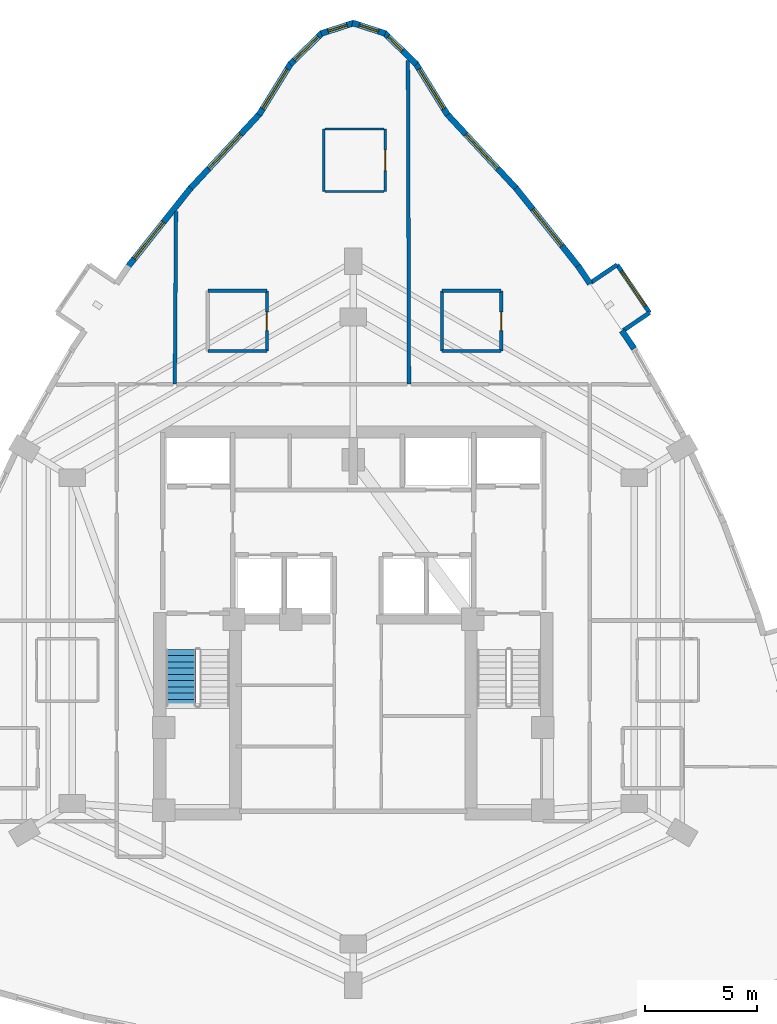
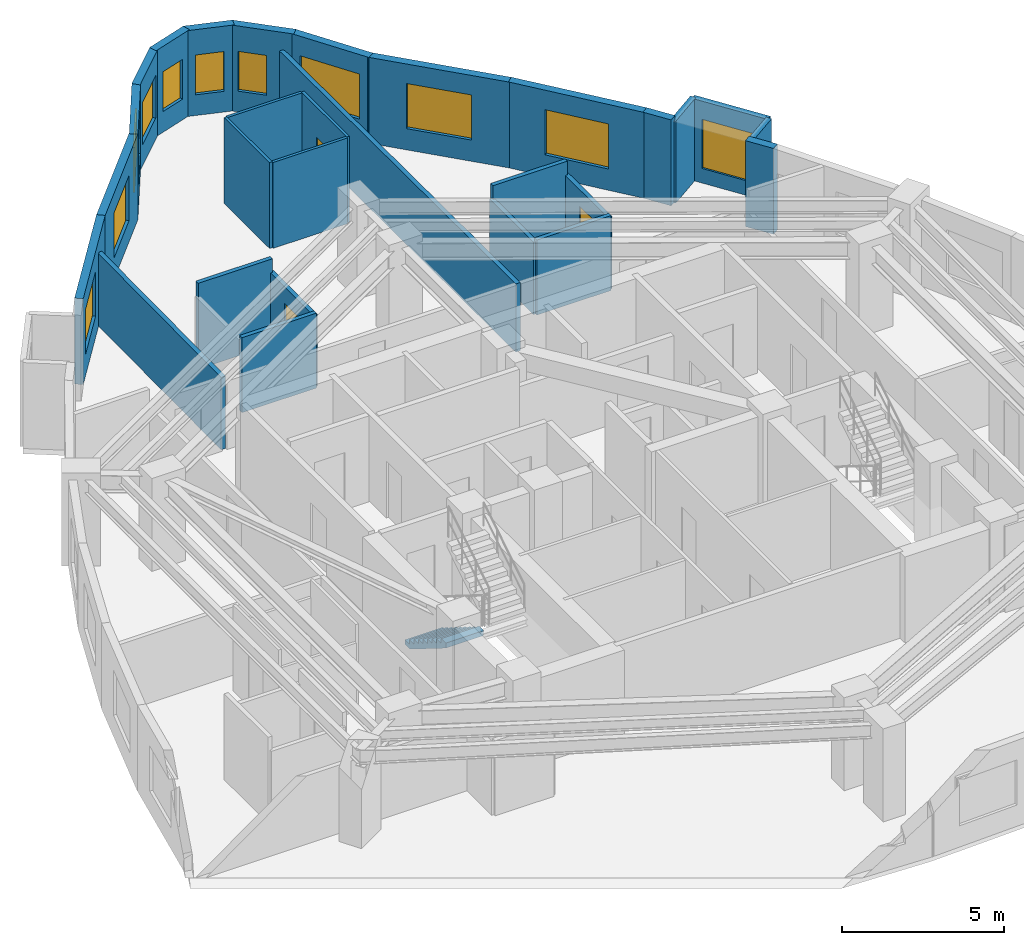
# One storey, part 7 of 9: 28 walls, 11 windows, 3 doors, 1 stair flight, 14 openings, 1 element without a shape of its own.
"""IFC4 building model written with IfcOpenShell, lengths in metres."""

from ifc_helpers import new_model, si_unit, direction, frame, frame_2d, origin, place, context, subcontext, project, spatial, polyline, rectangle, outline, extrude, material, layer, layer_set, type_object, element, fill, aggregate, save


model = new_model("IFC4")

# Units and contexts
model_context = context("Model", 3, precision=1e-05, world=origin(), true_north=direction((0.0, 1.0)))
body_context = subcontext(model_context, "Body", "Model", "MODEL_VIEW")
ifc_project = project(units=[si_unit("LENGTHUNIT", "METRE"), si_unit("AREAUNIT", "SQUARE_METRE"), si_unit("VOLUMEUNIT", "CUBIC_METRE"), si_unit("PLANEANGLEUNIT", "RADIAN"), si_unit("MASSUNIT", "GRAM", prefix="KILO")], contexts=[model_context])

# Site, building, storey
site_placement = place(None, origin())
site = spatial("IfcSite", under=ifc_project, at=site_placement, CompositionType="ELEMENT")
building_placement = place(site_placement, origin())
building = spatial("IfcBuilding", under=site, at=building_placement, Name="Miruveldt Soraemaru", CompositionType="ELEMENT")
storey_placement = place(building_placement, frame((0.0, 0.0, 138.89990234375)))
storey = spatial("IfcBuildingStorey", under=building, at=storey_placement, Name="L38", CompositionType="ELEMENT", Elevation=138.89990234375)

# Walls
ifc_material_1 = material(Name="White powder-coated aluminium EN AW-6060 T6", Category="aluminium")
ifc_layer_1 = layer(ifc_material_1, 0.18994140625, Name="White powder-coated aluminium EN AW-6060 T6", Category="aluminium")
ifc_layer_set_1 = layer_set([ifc_layer_1], Name="White powder-coated aluminium EN AW-6060 T6")
wall_type_1 = type_object("IfcWallType", Name="WALL-BAY-ALU190", PredefinedType="SOLIDWALL", material=ifc_layer_set_1)
for number, where, z_axis, x_axis, name in (
    (1, (56.10791015625, 56.998779296875, 0.0), (0.0, 0.0, 1.0), (0.827862228344, 0.560931485016, 0.0), "L38 Bay Window Side Cheek 3L"),
    (2, (55.82958984375, 59.95068359375, 0.0), (0.0, 0.0, 1.0), (-0.827995667279, -0.560734495966, 0.0), "L38 Bay Window Side Cheek 3R"),
):
    element("IfcWall", number, at=place(storey_placement, frame(where, z_axis=z_axis, x_axis=x_axis)), inside=storey, type_object=wall_type_1, Name=name, PredefinedType="SOLIDWALL", context=body_context, shape_type="SweptSolid", body=[
        extrude(rectangle(XDim=1.425048828125, YDim=0.18994140625, at=frame_2d((0.71240234375, 0.0))), origin(), (0.0, 0.0, 1.0), 3.085205078125),
    ])

# Wall, opening, window
wall_1_placement = place(storey_placement, frame((57.28759765625, 57.798095703125, 0.0), z_axis=(0.0, 0.0, 1.0), x_axis=(-0.560796235507, 0.827953852724, 0.0)))
wall_1 = element("IfcWall", 3, at=wall_1_placement, inside=storey, type_object=wall_type_1, Name="L38 Bay Window Front Frame 3", PredefinedType="SOLIDWALL", context=body_context, shape_type="SweptSolid", body=[
    extrude(rectangle(XDim=2.599853515625, YDim=0.18994140625, at=frame_2d((1.2998046875, 0.0))), origin(), (0.0, 0.0, 1.0), 3.085205078125),
])
opening_1_placement = place(wall_1_placement, frame((0.35009765625, 0.0, 0.550048828125)))
opening_1 = element("IfcOpeningElement", 4, at=opening_1_placement, cuts=wall_1, Name="Opening WN-6", PredefinedType="OPENING", context=body_context, shape_type="SweptSolid", body=[
    extrude(rectangle(XDim=1.89990234375, YDim=1.85009765625, at=frame_2d((0.949951171875, 0.925048828125))), frame((0.0, 0.10498046875, 0.0), z_axis=(0.0, -1.0, 0.0), x_axis=(1.0, 0.0, 0.0)), (0.0, 0.0, 1.0), 0.2099609375),
])
ifc_material_2 = material(Name="Triple low-e insulated glazing", Category="glass")
window_type_1 = type_object("IfcWindowType", Name="WIN-BAYW-1900x1850", PartitioningType="SINGLE_PANEL", PredefinedType="WINDOW", material=ifc_material_2)
window_1_placement = place(opening_1_placement, origin())
window_1 = element("IfcWindow", 5, at=window_1_placement, inside=storey, type_object=window_type_1, Name="L38 Projecting Bay Window 3", OverallHeight=1.85009765625, OverallWidth=1.89990234375, PartitioningType="SINGLE_PANEL", PredefinedType="WINDOW", context=body_context, shape_type="SweptSolid", body=[
    extrude(rectangle(XDim=1.89990234375, YDim=1.85009765625, at=frame_2d((0.949951171875, 0.925048828125))), frame((0.0, 0.030029296875, 0.0), z_axis=(0.0, -1.0, 0.0), x_axis=(1.0, 0.0, 0.0)), (0.0, 0.0, 1.0), 0.06005859375),
])
fill(opening_1, window_1)

ifc_material_3 = material(Name="Precast concrete C45/55 (45 MPa)", Category="concrete")
ifc_layer_2 = layer(ifc_material_3, 0.27001953125, Name="Precast concrete C45/55 (45 MPa)", Category="concrete")
ifc_layer_set_2 = layer_set([ifc_layer_2], Name="Precast concrete C45/55 (45 MPa)")
wall_type_2 = type_object("IfcWallType", Name="WALL-EXT-PC270", PredefinedType="SOLIDWALL", material=ifc_layer_set_2)
wall_2_placement = place(storey_placement, frame((48.227294921875, 66.669921875, 0.0), z_axis=(0.0, 0.0, 1.0), x_axis=(-0.526072038114, 0.850440010062, 0.0)))
wall_2 = element("IfcWall", 6, at=wall_2_placement, inside=storey, type_object=wall_type_2, Name="L38 Precast Concrete Facade Wall 1", PredefinedType="SOLIDWALL", context=body_context, shape_type="SweptSolid", body=[
    extrude(rectangle(XDim=2.736572265625, YDim=0.27001953125, at=frame_2d((1.3681640625, 0.0))), origin(), (0.0, 0.0, 1.0), 3.235107421875),
])
opening_2_placement = place(wall_2_placement, frame((0.319091796875, 0.0, 0.800048828125)))
opening_2 = element("IfcOpeningElement", 7, at=opening_2_placement, cuts=wall_2, Name="Opening WN-1", PredefinedType="OPENING", context=body_context, shape_type="SweptSolid", body=[
    extrude(rectangle(XDim=2.10009765625, YDim=1.699951171875, at=frame_2d((1.050048828125, 0.85009765625))), frame((0.0, 0.14501953125, 0.0), z_axis=(0.0, -1.0, 0.0), x_axis=(1.0, 0.0, 0.0)), (0.0, 0.0, 1.0), 0.2900390625),
])
window_type_2 = type_object("IfcWindowType", Name="WIN-PUNCH-2100x1700", PartitioningType="SINGLE_PANEL", PredefinedType="WINDOW", material=ifc_material_2)
window_2_placement = place(opening_2_placement, origin())
window_2 = element("IfcWindow", 8, at=window_2_placement, inside=storey, type_object=window_type_2, Name="L38 Punched Triple-Glazed Window 01.1", OverallHeight=1.699951171875, OverallWidth=2.10009765625, PartitioningType="SINGLE_PANEL", PredefinedType="WINDOW", context=body_context, shape_type="SweptSolid", body=[
    extrude(rectangle(XDim=2.10009765625, YDim=1.699951171875, at=frame_2d((1.050048828125, 0.85009765625))), frame((0.0, 0.030029296875, 0.0), z_axis=(0.0, -1.0, 0.0), x_axis=(1.0, 0.0, 0.0)), (0.0, 0.0, 1.0), 0.06005859375),
])
fill(opening_2, window_2)

wall_3_placement = place(storey_placement, frame((46.8310546875, 68.943115234375, 0.0), z_axis=(0.0, 0.0, 1.0), x_axis=(-0.717816386965, 0.696232457305, 0.0)))
wall_3 = element("IfcWall", 9, at=wall_3_placement, inside=storey, type_object=wall_type_2, Name="L38 Precast Concrete Facade Wall 2", PredefinedType="SOLIDWALL", context=body_context, shape_type="SweptSolid", body=[
    extrude(rectangle(XDim=2.024658203125, YDim=0.27001953125, at=frame_2d((1.01220703125, 0.0))), origin(), (0.0, 0.0, 1.0), 3.235107421875),
])
opening_3_placement = place(wall_3_placement, frame((0.875, 0.0, 0.780029296875)))
opening_3 = element("IfcOpeningElement", 10, at=opening_3_placement, cuts=wall_3, Name="Opening WN-7", PredefinedType="OPENING", context=body_context, shape_type="SweptSolid", body=[
    extrude(rectangle(XDim=0.89990234375, YDim=1.5, at=frame_2d((0.449951171875, 0.75))), frame((0.0, 0.14501953125, 0.0), z_axis=(0.0, -1.0, 0.0), x_axis=(1.0, 0.0, 0.0)), (0.0, 0.0, 1.0), 0.2900390625),
])
window_type_3 = type_object("IfcWindowType", Name="WIN-PUNCH-900x1500", PartitioningType="SINGLE_PANEL", PredefinedType="WINDOW", material=ifc_material_2)
window_3_placement = place(opening_3_placement, origin())
window_3 = element("IfcWindow", 11, at=window_3_placement, inside=storey, type_object=window_type_3, Name="L38 Punched Triple-Glazed Window 02.1", OverallHeight=1.5, OverallWidth=0.89990234375, PartitioningType="SINGLE_PANEL", PredefinedType="WINDOW", context=body_context, shape_type="SweptSolid", body=[
    extrude(rectangle(XDim=0.89990234375, YDim=1.5, at=frame_2d((0.449951171875, 0.75))), frame((0.0, 0.030029296875, 0.0), z_axis=(0.0, -1.0, 0.0), x_axis=(1.0, 0.0, 0.0)), (0.0, 0.0, 1.0), 0.06005859375),
])
fill(opening_3, window_3)

wall_4_placement = place(storey_placement, frame((45.436279296875, 70.317626953125, 0.0), z_axis=(0.0, 0.0, 1.0), x_axis=(-0.951505777251, 0.307630875981, 0.0)))
wall_4 = element("IfcWall", 12, at=wall_4_placement, inside=storey, type_object=wall_type_2, Name="L38 Precast Concrete Facade Wall 3", PredefinedType="SOLIDWALL", context=body_context, shape_type="SweptSolid", body=[
    extrude(rectangle(XDim=1.54443359375, YDim=0.27001953125, at=frame_2d((0.772216796875, 0.0))), origin(), (0.0, 0.0, 1.0), 3.235107421875),
])
opening_4_placement = place(wall_4_placement, frame((0.322021484375, 0.0, 0.780029296875)))
opening_4 = element("IfcOpeningElement", 13, at=opening_4_placement, cuts=wall_4, Name="Opening WN-7", PredefinedType="OPENING", context=body_context, shape_type="SweptSolid", body=[
    extrude(rectangle(XDim=0.89990234375, YDim=1.5, at=frame_2d((0.449951171875, 0.75))), frame((0.0, 0.14501953125, 0.0), z_axis=(0.0, -1.0, 0.0), x_axis=(1.0, 0.0, 0.0)), (0.0, 0.0, 1.0), 0.2900390625),
])
window_4_placement = place(opening_4_placement, origin())
window_4 = element("IfcWindow", 14, at=window_4_placement, inside=storey, type_object=window_type_3, Name="L38 Punched Triple-Glazed Window 03.1", OverallHeight=1.5, OverallWidth=0.89990234375, PartitioningType="SINGLE_PANEL", PredefinedType="WINDOW", context=body_context, shape_type="SweptSolid", body=[
    extrude(rectangle(XDim=0.89990234375, YDim=1.5, at=frame_2d((0.449951171875, 0.75))), frame((0.0, 0.030029296875, 0.0), z_axis=(0.0, -1.0, 0.0), x_axis=(1.0, 0.0, 0.0)), (0.0, 0.0, 1.0), 0.06005859375),
])
fill(opening_4, window_4)

wall_5_placement = place(storey_placement, frame((44.033203125, 70.792724609375, 0.0), z_axis=(0.0, 0.0, 1.0), x_axis=(-0.951505777251, -0.307630875981, 0.0)))
wall_5 = element("IfcWall", 15, at=wall_5_placement, inside=storey, type_object=wall_type_2, Name="L38 Precast Concrete Facade Wall 4", PredefinedType="SOLIDWALL", context=body_context, shape_type="SweptSolid", body=[
    extrude(rectangle(XDim=1.54443359375, YDim=0.27001953125, at=frame_2d((0.772216796875, 0.0))), origin(), (0.0, 0.0, 1.0), 3.235107421875),
])
opening_5_placement = place(wall_5_placement, frame((0.322021484375, 0.0, 0.780029296875)))
opening_5 = element("IfcOpeningElement", 16, at=opening_5_placement, cuts=wall_5, Name="Opening WN-7", PredefinedType="OPENING", context=body_context, shape_type="SweptSolid", body=[
    extrude(rectangle(XDim=0.89990234375, YDim=1.5, at=frame_2d((0.449951171875, 0.75))), frame((0.0, 0.14501953125, 0.0), z_axis=(0.0, -1.0, 0.0), x_axis=(1.0, 0.0, 0.0)), (0.0, 0.0, 1.0), 0.2900390625),
])
window_5_placement = place(opening_5_placement, origin())
window_5 = element("IfcWindow", 17, at=window_5_placement, inside=storey, type_object=window_type_3, Name="L38 Punched Triple-Glazed Window 04.1", OverallHeight=1.5, OverallWidth=0.89990234375, PartitioningType="SINGLE_PANEL", PredefinedType="WINDOW", context=body_context, shape_type="SweptSolid", body=[
    extrude(rectangle(XDim=0.89990234375, YDim=1.5, at=frame_2d((0.449951171875, 0.75))), frame((0.0, 0.030029296875, 0.0), z_axis=(0.0, -1.0, 0.0), x_axis=(1.0, 0.0, 0.0)), (0.0, 0.0, 1.0), 0.06005859375),
])
fill(opening_5, window_5)

wall_6_placement = place(storey_placement, frame((42.622314453125, 70.352783203125, 0.0), z_axis=(0.0, 0.0, 1.0), x_axis=(-0.717816386965, -0.696232457305, 0.0)))
wall_6 = element("IfcWall", 18, at=wall_6_placement, inside=storey, type_object=wall_type_2, Name="L38 Precast Concrete Facade Wall 5", PredefinedType="SOLIDWALL", context=body_context, shape_type="SweptSolid", body=[
    extrude(rectangle(XDim=2.024658203125, YDim=0.27001953125, at=frame_2d((1.01220703125, 0.0))), origin(), (0.0, 0.0, 1.0), 3.235107421875),
])
opening_6_placement = place(wall_6_placement, frame((0.261962890625, 0.0, 0.800048828125)))
opening_6 = element("IfcOpeningElement", 19, at=opening_6_placement, cuts=wall_6, Name="Opening WN-3", PredefinedType="OPENING", context=body_context, shape_type="SweptSolid", body=[
    extrude(rectangle(XDim=1.5, YDim=1.60009765625, at=frame_2d((0.75, 0.800048828125))), frame((0.0, 0.14501953125, 0.0), z_axis=(0.0, -1.0, 0.0), x_axis=(1.0, 0.0, 0.0)), (0.0, 0.0, 1.0), 0.2900390625),
])
window_type_4 = type_object("IfcWindowType", Name="WIN-PUNCH-1500x1600", PartitioningType="SINGLE_PANEL", PredefinedType="WINDOW", material=ifc_material_2)
window_6_placement = place(opening_6_placement, origin())
window_6 = element("IfcWindow", 20, at=window_6_placement, inside=storey, type_object=window_type_4, Name="L38 Punched Triple-Glazed Window 05.1", OverallHeight=1.60009765625, OverallWidth=1.5, PartitioningType="SINGLE_PANEL", PredefinedType="WINDOW", context=body_context, shape_type="SweptSolid", body=[
    extrude(rectangle(XDim=1.5, YDim=1.60009765625, at=frame_2d((0.75, 0.800048828125))), frame((0.0, 0.030029296875, 0.0), z_axis=(0.0, -1.0, 0.0), x_axis=(1.0, 0.0, 0.0)), (0.0, 0.0, 1.0), 0.06005859375),
])
fill(opening_6, window_6)

wall_7_placement = place(storey_placement, frame((41.21240234375, 68.997314453125, 0.0), z_axis=(0.0, 0.0, 1.0), x_axis=(-0.526072038114, -0.850440010062, 0.0)))
wall_7 = element("IfcWall", 21, at=wall_7_placement, inside=storey, type_object=wall_type_2, Name="L38 Precast Concrete Facade Wall 6", PredefinedType="SOLIDWALL", context=body_context, shape_type="SweptSolid", body=[
    extrude(rectangle(XDim=2.736572265625, YDim=0.27001953125, at=frame_2d((1.3681640625, 0.0))), origin(), (0.0, 0.0, 1.0), 3.235107421875),
])
opening_7_placement = place(wall_7_placement, frame((0.319091796875, 0.0, 0.800048828125)))
opening_7 = element("IfcOpeningElement", 22, at=opening_7_placement, cuts=wall_7, Name="Opening WN-1", PredefinedType="OPENING", context=body_context, shape_type="SweptSolid", body=[
    extrude(rectangle(XDim=2.10009765625, YDim=1.699951171875, at=frame_2d((1.050048828125, 0.85009765625))), frame((0.0, 0.14501953125, 0.0), z_axis=(0.0, -1.0, 0.0), x_axis=(1.0, 0.0, 0.0)), (0.0, 0.0, 1.0), 0.2900390625),
])
window_7_placement = place(opening_7_placement, origin())
window_7 = element("IfcWindow", 23, at=window_7_placement, inside=storey, type_object=window_type_2, Name="L38 Punched Triple-Glazed Window 06.1", OverallHeight=1.699951171875, OverallWidth=2.10009765625, PartitioningType="SINGLE_PANEL", PredefinedType="WINDOW", context=body_context, shape_type="SweptSolid", body=[
    extrude(rectangle(XDim=2.10009765625, YDim=1.699951171875, at=frame_2d((1.050048828125, 0.85009765625))), frame((0.0, 0.030029296875, 0.0), z_axis=(0.0, -1.0, 0.0), x_axis=(1.0, 0.0, 0.0)), (0.0, 0.0, 1.0), 0.06005859375),
])
fill(opening_7, window_7)

wall_8_placement = place(storey_placement, frame((39.81494140625, 66.725341796875, 0.0), z_axis=(0.0, 0.0, 1.0), x_axis=(-0.680884594173, -0.732390721826, 0.0)))
wall_8 = element("IfcWall", 24, at=wall_8_placement, inside=storey, type_object=wall_type_2, Name="L38 Precast Concrete Facade Wall 7", PredefinedType="SOLIDWALL", context=body_context, shape_type="SweptSolid", body=[
    extrude(rectangle(XDim=4.62158203125, YDim=0.27001953125, at=frame_2d((2.310791015625, 0.0))), origin(), (0.0, 0.0, 1.0), 3.235107421875),
])
opening_8_placement = place(wall_8_placement, frame((1.260986328125, 0.0, 0.800048828125)))
opening_8 = element("IfcOpeningElement", 25, at=opening_8_placement, cuts=wall_8, Name="Opening WN-1", PredefinedType="OPENING", context=body_context, shape_type="SweptSolid", body=[
    extrude(rectangle(XDim=2.10009765625, YDim=1.699951171875, at=frame_2d((1.050048828125, 0.85009765625))), frame((0.0, 0.14501953125, 0.0), z_axis=(0.0, -1.0, 0.0), x_axis=(1.0, 0.0, 0.0)), (0.0, 0.0, 1.0), 0.2900390625),
])
window_8_placement = place(opening_8_placement, origin())
window_8 = element("IfcWindow", 26, at=window_8_placement, inside=storey, type_object=window_type_2, Name="L38 Punched Triple-Glazed Window 07.1", OverallHeight=1.699951171875, OverallWidth=2.10009765625, PartitioningType="SINGLE_PANEL", PredefinedType="WINDOW", context=body_context, shape_type="SweptSolid", body=[
    extrude(rectangle(XDim=2.10009765625, YDim=1.699951171875, at=frame_2d((1.050048828125, 0.85009765625))), frame((0.0, 0.030029296875, 0.0), z_axis=(0.0, -1.0, 0.0), x_axis=(1.0, 0.0, 0.0)), (0.0, 0.0, 1.0), 0.06005859375),
])
fill(opening_8, window_8)

wall_9_placement = place(storey_placement, frame((36.7138671875, 63.3935546875, 0.0), z_axis=(0.0, 0.0, 1.0), x_axis=(-0.623592662653, -0.781749442651, 0.0)))
wall_9 = element("IfcWall", 27, at=wall_9_placement, inside=storey, type_object=wall_type_2, Name="L38 Precast Concrete Facade Wall 8", PredefinedType="SOLIDWALL", context=body_context, shape_type="SweptSolid", body=[
    extrude(rectangle(XDim=4.539794921875, YDim=0.27001953125, at=frame_2d((2.27001953125, 0.0))), origin(), (0.0, 0.0, 1.0), 3.235107421875),
])
opening_9_placement = place(wall_9_placement, frame((1.962890625, 0.0, 0.800048828125)))
opening_9 = element("IfcOpeningElement", 28, at=opening_9_placement, cuts=wall_9, Name="Opening WN-1", PredefinedType="OPENING", context=body_context, shape_type="SweptSolid", body=[
    extrude(rectangle(XDim=2.10009765625, YDim=1.699951171875, at=frame_2d((1.050048828125, 0.85009765625))), frame((0.0, 0.14501953125, 0.0), z_axis=(0.0, -1.0, 0.0), x_axis=(1.0, 0.0, 0.0)), (0.0, 0.0, 1.0), 0.2900390625),
])
window_9_placement = place(opening_9_placement, origin())
window_9 = element("IfcWindow", 29, at=window_9_placement, inside=storey, type_object=window_type_2, Name="L38 Punched Triple-Glazed Window 08.1", OverallHeight=1.699951171875, OverallWidth=2.10009765625, PartitioningType="SINGLE_PANEL", PredefinedType="WINDOW", context=body_context, shape_type="SweptSolid", body=[
    extrude(rectangle(XDim=2.10009765625, YDim=1.699951171875, at=frame_2d((1.050048828125, 0.85009765625))), frame((0.0, 0.030029296875, 0.0), z_axis=(0.0, -1.0, 0.0), x_axis=(1.0, 0.0, 0.0)), (0.0, 0.0, 1.0), 0.06005859375),
])
fill(opening_9, window_9)

# Walls
wall_10_placement = place(storey_placement, frame((56.5908203125, 56.18798828125, 0.0), z_axis=(0.0, 0.0, 1.0), x_axis=(-0.560770403853, 0.827971348636, 0.0)))
element("IfcWall", 30, at=wall_10_placement, inside=storey, type_object=wall_type_2, Name="L38 Precast Pier Wall 40A", PredefinedType="SOLIDWALL", context=body_context, shape_type="SweptSolid", body=[
    extrude(rectangle(XDim=0.97216796875, YDim=0.27001953125, at=frame_2d((0.486083984375, 0.0))), origin(), (0.0, 0.0, 1.0), 3.235107421875),
])
wall_11_placement = place(storey_placement, frame((54.62109375, 59.095947265625, 0.0), z_axis=(0.0, 0.0, 1.0), x_axis=(-0.560942525399, 0.827854747645, 0.0)))
element("IfcWall", 31, at=wall_11_placement, inside=storey, type_object=wall_type_2, Name="L38 Precast Pier Wall 40B", PredefinedType="SOLIDWALL", context=body_context, shape_type="SweptSolid", body=[
    extrude(rectangle(XDim=0.972412109375, YDim=0.27001953125, at=frame_2d((0.486328125, 0.0))), origin(), (0.0, 0.0, 1.0), 3.235107421875),
])

# Wall, opening, window
wall_12_placement = place(storey_placement, frame((54.1171875, 59.844482421875, 0.0), z_axis=(0.0, 0.0, 1.0), x_axis=(-0.623592662653, 0.781749442651, 0.0)))
wall_12 = element("IfcWall", 32, at=wall_12_placement, inside=storey, type_object=wall_type_2, Name="L38 Precast Concrete Facade Wall 41", PredefinedType="SOLIDWALL", context=body_context, shape_type="SweptSolid", body=[
    extrude(rectangle(XDim=4.539794921875, YDim=0.27001953125, at=frame_2d((2.27001953125, 0.0))), origin(), (0.0, 0.0, 1.0), 3.235107421875),
])
opening_10_placement = place(wall_12_placement, frame((1.219970703125, 0.0, 0.800048828125)))
opening_10 = element("IfcOpeningElement", 33, at=opening_10_placement, cuts=wall_12, Name="Opening WN-1", PredefinedType="OPENING", context=body_context, shape_type="SweptSolid", body=[
    extrude(rectangle(XDim=2.10009765625, YDim=1.699951171875, at=frame_2d((1.050048828125, 0.85009765625))), frame((0.0, 0.14501953125, 0.0), z_axis=(0.0, -1.0, 0.0), x_axis=(1.0, 0.0, 0.0)), (0.0, 0.0, 1.0), 0.2900390625),
])
window_10_placement = place(opening_10_placement, origin())
window_10 = element("IfcWindow", 34, at=window_10_placement, inside=storey, type_object=window_type_2, Name="L38 Punched Triple-Glazed Window 41.1", OverallHeight=1.699951171875, OverallWidth=2.10009765625, PartitioningType="SINGLE_PANEL", PredefinedType="WINDOW", context=body_context, shape_type="SweptSolid", body=[
    extrude(rectangle(XDim=2.10009765625, YDim=1.699951171875, at=frame_2d((1.050048828125, 0.85009765625))), frame((0.0, 0.030029296875, 0.0), z_axis=(0.0, -1.0, 0.0), x_axis=(1.0, 0.0, 0.0)), (0.0, 0.0, 1.0), 0.06005859375),
])
fill(opening_10, window_10)

wall_13_placement = place(storey_placement, frame((51.331787109375, 63.340576171875, 0.0), z_axis=(0.0, 0.0, 1.0), x_axis=(-0.680884594173, 0.732390721826, 0.0)))
wall_13 = element("IfcWall", 35, at=wall_13_placement, inside=storey, type_object=wall_type_2, Name="L38 Precast Concrete Facade Wall 42", PredefinedType="SOLIDWALL", context=body_context, shape_type="SweptSolid", body=[
    extrude(rectangle(XDim=4.62158203125, YDim=0.27001953125, at=frame_2d((2.310791015625, 0.0))), origin(), (0.0, 0.0, 1.0), 3.235107421875),
])
opening_11_placement = place(wall_13_placement, frame((1.260986328125, 0.0, 0.800048828125)))
opening_11 = element("IfcOpeningElement", 36, at=opening_11_placement, cuts=wall_13, Name="Opening WN-1", PredefinedType="OPENING", context=body_context, shape_type="SweptSolid", body=[
    extrude(rectangle(XDim=2.10009765625, YDim=1.699951171875, at=frame_2d((1.050048828125, 0.85009765625))), frame((0.0, 0.14501953125, 0.0), z_axis=(0.0, -1.0, 0.0), x_axis=(1.0, 0.0, 0.0)), (0.0, 0.0, 1.0), 0.2900390625),
])
window_11_placement = place(opening_11_placement, origin())
window_11 = element("IfcWindow", 37, at=window_11_placement, inside=storey, type_object=window_type_2, Name="L38 Punched Triple-Glazed Window 42.1", OverallHeight=1.699951171875, OverallWidth=2.10009765625, PartitioningType="SINGLE_PANEL", PredefinedType="WINDOW", context=body_context, shape_type="SweptSolid", body=[
    extrude(rectangle(XDim=2.10009765625, YDim=1.699951171875, at=frame_2d((1.050048828125, 0.85009765625))), frame((0.0, 0.030029296875, 0.0), z_axis=(0.0, -1.0, 0.0), x_axis=(1.0, 0.0, 0.0)), (0.0, 0.0, 1.0), 0.06005859375),
])
fill(opening_11, window_11)

# Wall, opening, door
ifc_material_4 = material(Name="Gypsum plasterboard lining", Category="gypsum")
ifc_layer_3 = layer(ifc_material_4, 0.10009765625, Name="Gypsum plasterboard lining", Category="gypsum")
ifc_layer_set_3 = layer_set([ifc_layer_3], Name="Gypsum plasterboard lining")
wall_type_3 = type_object("IfcWallType", Name="WALL-INT-P100", PredefinedType="PARTITIONING", material=ifc_layer_set_3)
wall_14_placement = place(storey_placement, frame((45.429931640625, 63.22998046875, 0.0), z_axis=(0.0, 0.0, 1.0), x_axis=(0.0, 1.0, 0.0)))
wall_14 = element("IfcWall", 38, at=wall_14_placement, inside=storey, type_object=wall_type_3, Name="L38 Partition Wall 18", PredefinedType="PARTITIONING", context=body_context, shape_type="SweptSolid", body=[
    extrude(rectangle(XDim=2.800048828125, YDim=0.10009765625, at=frame_2d((1.39990234375, 0.0))), origin(), (0.0, 0.0, 1.0), 3.235107421875),
])
opening_12_placement = place(wall_14_placement, frame((0.93994140625, 0.0, 0.0)))
opening_12 = element("IfcOpeningElement", 39, at=opening_12_placement, cuts=wall_14, Name="Opening D3A", PredefinedType="OPENING", context=body_context, shape_type="SweptSolid", body=[
    extrude(rectangle(XDim=0.919921875, YDim=2.10009765625, at=frame_2d((0.4599609375, 1.050048828125))), frame((0.0, 0.06005859375, 0.0), z_axis=(0.0, -1.0, 0.0), x_axis=(1.0, 0.0, 0.0)), (0.0, 0.0, 1.0), 0.1201171875),
])
ifc_material_5 = material(Name="Anodised aluminium EN AW-6063 T6", Category="aluminium")
door_type_1 = type_object("IfcDoorType", Name="DOOR-INT-920", OperationType="NOTDEFINED", PredefinedType="DOOR", material=ifc_material_5)
door_1_placement = place(opening_12_placement, origin())
door_1 = element("IfcDoor", 40, at=door_1_placement, inside=storey, type_object=door_type_1, Name="L38 Unit CL02 KIT Door", OperationType="SINGLE_SWING_RIGHT", OverallHeight=2.10009765625, OverallWidth=0.919921875, PredefinedType="DOOR", context=body_context, shape_type="SweptSolid", body=[
    extrude(rectangle(XDim=0.919921875, YDim=2.10009765625, at=frame_2d((0.4599609375, 1.050048828125))), frame((0.0, 0.02490234375, 0.0), z_axis=(0.0, -1.0, 0.0), x_axis=(1.0, 0.0, 0.0)), (0.0, 0.0, 1.0), 0.050048828125),
])
fill(opening_12, door_1)

# Walls
wall_15_placement = place(storey_placement, frame((42.679931640625, 66.030029296875, 0.0), z_axis=(0.0, 0.0, 1.0), x_axis=(0.0, -1.0, 0.0)))
element("IfcWall", 41, at=wall_15_placement, inside=storey, type_object=wall_type_3, Name="L38 Partition Wall 20", PredefinedType="PARTITIONING", context=body_context, shape_type="SweptSolid", body=[
    extrude(rectangle(XDim=2.800048828125, YDim=0.10009765625, at=frame_2d((1.39990234375, 0.0))), origin(), (0.0, 0.0, 1.0), 3.235107421875),
])
for number, where, z_axis, x_axis, name in (
    (42, (45.3798828125, 66.030029296875, 0.0), (0.0, 0.0, 1.0), (-1.0, 0.0, 0.0), "L38 Partition Wall 19"),
    (43, (42.72998046875, 63.22998046875, 0.0), (0.0, 0.0, 1.0), (1.0, 0.0, 0.0), "L38 Partition Wall 21"),
):
    element("IfcWall", number, at=place(storey_placement, frame(where, z_axis=z_axis, x_axis=x_axis)), inside=storey, type_object=wall_type_3, Name=name, PredefinedType="PARTITIONING", context=body_context, shape_type="SweptSolid", body=[
        extrude(rectangle(XDim=2.64990234375, YDim=0.10009765625, at=frame_2d((1.324951171875, 0.0))), origin(), (0.0, 0.0, 1.0), 3.235107421875),
    ])

# Wall, opening, door
ifc_layer_4 = layer(ifc_material_4, 0.14990234375, Name="Gypsum plasterboard lining", Category="gypsum")
ifc_layer_set_4 = layer_set([ifc_layer_4], Name="Gypsum plasterboard lining")
wall_type_4 = type_object("IfcWallType", Name="WALL-INT-PLUMB", PredefinedType="PLUMBINGWALL", material=ifc_layer_set_4)
wall_16_placement = place(storey_placement, frame((40.1298828125, 56.080078125, 0.0), z_axis=(0.0, 0.0, 1.0), x_axis=(0.0, 1.0, 0.0)))
wall_16 = element("IfcWall", 44, at=wall_16_placement, inside=storey, type_object=wall_type_4, Name="L38 Partition Wall 14", PredefinedType="PLUMBINGWALL", context=body_context, shape_type="SweptSolid", body=[
    extrude(rectangle(XDim=2.699951171875, YDim=0.14990234375, at=frame_2d((1.35009765625, 0.0))), origin(), (0.0, 0.0, 1.0), 2.72314453125),
])
opening_13_placement = place(wall_16_placement, frame((0.909912109375, 0.0, 0.0)))
opening_13 = element("IfcOpeningElement", 45, at=opening_13_placement, cuts=wall_16, Name="Opening FD3", PredefinedType="OPENING", context=body_context, shape_type="SweptSolid", body=[
    extrude(rectangle(XDim=0.85009765625, YDim=2.10009765625, at=frame_2d((0.425048828125, 1.050048828125))), frame((0.0, 0.0849609375, 0.0), z_axis=(0.0, -1.0, 0.0), x_axis=(1.0, 0.0, 0.0)), (0.0, 0.0, 1.0), 0.169921875),
])
door_type_2 = type_object("IfcDoorType", Name="DOOR-FD3-850", OperationType="NOTDEFINED", PredefinedType="DOOR", material=ifc_material_5)
door_2_placement = place(opening_13_placement, origin())
door_2 = element("IfcDoor", 46, at=door_2_placement, inside=storey, type_object=door_type_2, Name="L38 Unit CL02 BTH Door", OperationType="SINGLE_SWING_LEFT", OverallHeight=2.10009765625, OverallWidth=0.85009765625, PredefinedType="DOOR", context=body_context, shape_type="SweptSolid", body=[
    extrude(rectangle(XDim=0.85009765625, YDim=2.10009765625, at=frame_2d((0.425048828125, 1.050048828125))), frame((0.0, 0.02490234375, 0.0), z_axis=(0.0, -1.0, 0.0), x_axis=(1.0, 0.0, 0.0)), (0.0, 0.0, 1.0), 0.050048828125),
])
fill(opening_13, door_2)

wall_17_placement = place(storey_placement, frame((50.6298828125, 56.080078125, 0.0), z_axis=(0.0, 0.0, 1.0), x_axis=(0.0, 1.0, 0.0)))
wall_17 = element("IfcWall", 47, at=wall_17_placement, inside=storey, type_object=wall_type_4, Name="L38 Partition Wall 23", PredefinedType="PLUMBINGWALL", context=body_context, shape_type="SweptSolid", body=[
    extrude(rectangle(XDim=2.699951171875, YDim=0.14990234375, at=frame_2d((1.35009765625, 0.0))), origin(), (0.0, 0.0, 1.0), 2.72314453125),
])
opening_14_placement = place(wall_17_placement, frame((0.909912109375, 0.0, 0.0)))
opening_14 = element("IfcOpeningElement", 48, at=opening_14_placement, cuts=wall_17, Name="Opening FD3", PredefinedType="OPENING", context=body_context, shape_type="SweptSolid", body=[
    extrude(rectangle(XDim=0.85009765625, YDim=2.10009765625, at=frame_2d((0.425048828125, 1.050048828125))), frame((0.0, 0.0849609375, 0.0), z_axis=(0.0, -1.0, 0.0), x_axis=(1.0, 0.0, 0.0)), (0.0, 0.0, 1.0), 0.169921875),
])
door_3_placement = place(opening_14_placement, origin())
door_3 = element("IfcDoor", 49, at=door_3_placement, inside=storey, type_object=door_type_2, Name="L38 Unit CL03 BTH Door", OperationType="SINGLE_SWING_RIGHT", OverallHeight=2.10009765625, OverallWidth=0.85009765625, PredefinedType="DOOR", context=body_context, shape_type="SweptSolid", body=[
    extrude(rectangle(XDim=0.85009765625, YDim=2.10009765625, at=frame_2d((0.425048828125, 1.050048828125))), frame((0.0, 0.02490234375, 0.0), z_axis=(0.0, -1.0, 0.0), x_axis=(1.0, 0.0, 0.0)), (0.0, 0.0, 1.0), 0.050048828125),
])
fill(opening_14, door_3)

# Walls
wall_18_placement = place(storey_placement, frame((47.97998046875, 58.780029296875, 0.0), z_axis=(0.0, 0.0, 1.0), x_axis=(0.0, -1.0, 0.0)))
element("IfcWall", 50, at=wall_18_placement, inside=storey, type_object=wall_type_4, Name="L38 Partition Wall 25", PredefinedType="PLUMBINGWALL", context=body_context, shape_type="SweptSolid", body=[
    extrude(rectangle(XDim=2.699951171875, YDim=0.14990234375, at=frame_2d((1.35009765625, 0.0))), origin(), (0.0, 0.0, 1.0), 2.72314453125),
])
wall_19_placement = place(storey_placement, frame((40.1298828125, 58.780029296875, 0.0), z_axis=(0.0, 0.0, 1.0), x_axis=(-1.0, 0.0, 0.0)))
element("IfcWall", 51, at=wall_19_placement, inside=storey, type_object=wall_type_4, Name="L38 Partition Wall 15", PredefinedType="PLUMBINGWALL", context=body_context, shape_type="SweptSolid", body=[
    extrude(rectangle(XDim=2.64990234375, YDim=0.14990234375, at=frame_2d((1.324951171875, 0.0))), origin(), (0.0, 0.0, 1.0), 3.235107421875),
])
wall_20_placement = place(storey_placement, frame((37.47998046875, 56.080078125, 0.0), z_axis=(0.0, 0.0, 1.0), x_axis=(1.0, 0.0, 0.0)))
element("IfcWall", 52, at=wall_20_placement, inside=storey, type_object=wall_type_4, Name="L38 Partition Wall 17", PredefinedType="PLUMBINGWALL", context=body_context, shape_type="SweptSolid", body=[
    extrude(rectangle(XDim=2.64990234375, YDim=0.14990234375, at=frame_2d((1.324951171875, 0.0))), origin(), (0.0, 0.0, 1.0), 2.822998046875),
])
wall_21_placement = place(storey_placement, frame((50.6298828125, 58.780029296875, 0.0), z_axis=(0.0, 0.0, 1.0), x_axis=(-1.0, 0.0, 0.0)))
element("IfcWall", 53, at=wall_21_placement, inside=storey, type_object=wall_type_4, Name="L38 Partition Wall 24", PredefinedType="PLUMBINGWALL", context=body_context, shape_type="SweptSolid", body=[
    extrude(rectangle(XDim=2.64990234375, YDim=0.14990234375, at=frame_2d((1.324951171875, 0.0))), origin(), (0.0, 0.0, 1.0), 3.235107421875),
])
wall_22_placement = place(storey_placement, frame((47.97998046875, 56.080078125, 0.0), z_axis=(0.0, 0.0, 1.0), x_axis=(1.0, 0.0, 0.0)))
element("IfcWall", 54, at=wall_22_placement, inside=storey, type_object=wall_type_4, Name="L38 Partition Wall 26", PredefinedType="PLUMBINGWALL", context=body_context, shape_type="SweptSolid", body=[
    extrude(rectangle(XDim=2.64990234375, YDim=0.14990234375, at=frame_2d((1.324951171875, 0.0))), origin(), (0.0, 0.0, 1.0), 2.822998046875),
])
ifc_material_6 = material(Name="Concrete C40/50 (40 MPa)", Category="concrete")
ifc_layer_5 = layer(ifc_material_6, 0.159912109375, Name="Concrete C40/50 (40 MPa)", Category="concrete")
ifc_layer_set_5 = layer_set([ifc_layer_5], Name="Concrete C40/50 (40 MPa)")
wall_type_5 = type_object("IfcWallType", Name="WALL-INT-RC160", PredefinedType="SOLIDWALL", material=ifc_layer_set_5)
wall_23_placement = place(storey_placement, frame((46.5, 54.60009765625, 0.0), z_axis=(0.0, 0.0, 1.0), x_axis=(-0.003383591162, 0.999994275639, 0.0)))
element("IfcWall", 55, at=wall_23_placement, inside=storey, type_object=wall_type_5, Name="L38 Partition Wall 22", PredefinedType="SOLIDWALL", context=body_context, shape_type="SweptSolid", body=[
    extrude(rectangle(XDim=14.5029296875, YDim=0.159912109375, at=frame_2d((7.25146484375, 0.0))), origin(), (0.0, 0.0, 1.0), 2.572998046875),
])
wall_24_placement = place(storey_placement, frame((36.0, 54.60009765625, 0.0), z_axis=(0.0, 0.0, 1.0), x_axis=(0.007109948267, 0.999974723998, 0.0)))
element("IfcWall", 56, at=wall_24_placement, inside=storey, type_object=wall_type_5, Name="L38 Partition Wall 12", PredefinedType="SOLIDWALL", context=body_context, shape_type="SweptSolid", body=[
    extrude(rectangle(XDim=7.72607421875, YDim=0.159912109375, at=frame_2d((3.863037109375, 0.0))), origin(), (0.0, 0.0, 1.0), 2.72314453125),
])

# Stair, stair flight
stair_type = type_object("IfcStairType", Name="STAIR-DL-350", PredefinedType="HALF_TURN_STAIR", material=ifc_material_6)
stair_placement = place(storey_placement, origin())
stair = element("IfcStair", 57, at=stair_placement, inside=storey, type_object=stair_type, Name="L38 Protected Exit Stair ST-1", PredefinedType="HALF_TURN_STAIR")
stair_flight_type = type_object("IfcStairFlightType", Name="SFL-DL-350", PredefinedType="STRAIGHT", material=ifc_material_6)
stair_flight_placement = place(storey_placement, frame((36.27490234375, 42.699951171875, 0.0), z_axis=(0.0, 0.0, 1.0), x_axis=(0.0, -1.0, 0.0)))
stair_flight = element("IfcStairFlight", 58, at=stair_flight_placement, type_object=stair_flight_type, Name="ST-1 flight 1", NumberOfRisers=10, NumberOfTreads=9, PredefinedType="STRAIGHT", RiserHeight=0.175, TreadLength=0.28, context=body_context, shape_type="SweptSolid", body=[
    extrude(outline(polyline([(0.0, 0.0), (0.0, 0.175048828125), (0.280029296875, 0.175048828125), (0.280029296875, 0.35009765625), (0.56005859375, 0.35009765625), (0.56005859375, 0.52490234375), (0.840087890625, 0.52490234375), (0.840087890625, 0.699951171875), (1.1201171875, 0.699951171875), (1.1201171875, 0.875), (1.39990234375, 0.875), (1.39990234375, 1.050048828125), (1.679931640625, 1.050048828125), (1.679931640625, 1.22509765625), (1.9599609375, 1.22509765625), (1.9599609375, 1.39990234375), (2.239990234375, 1.39990234375), (2.239990234375, 1.574951171875), (2.52001953125, 1.574951171875), (2.52001953125, 1.75), (2.52001953125, 1.386474609375), (0.3017578125, 0.0), (0.0, 0.0)])), frame((0.0, 0.675048828125, 0.0), z_axis=(0.0, -1.0, 0.0), x_axis=(1.0, 0.0, 0.0)), (0.0, 0.0, 1.0), 1.35009765625),
])
aggregate(stair, [stair_flight])

save(model, "model.ifc")
